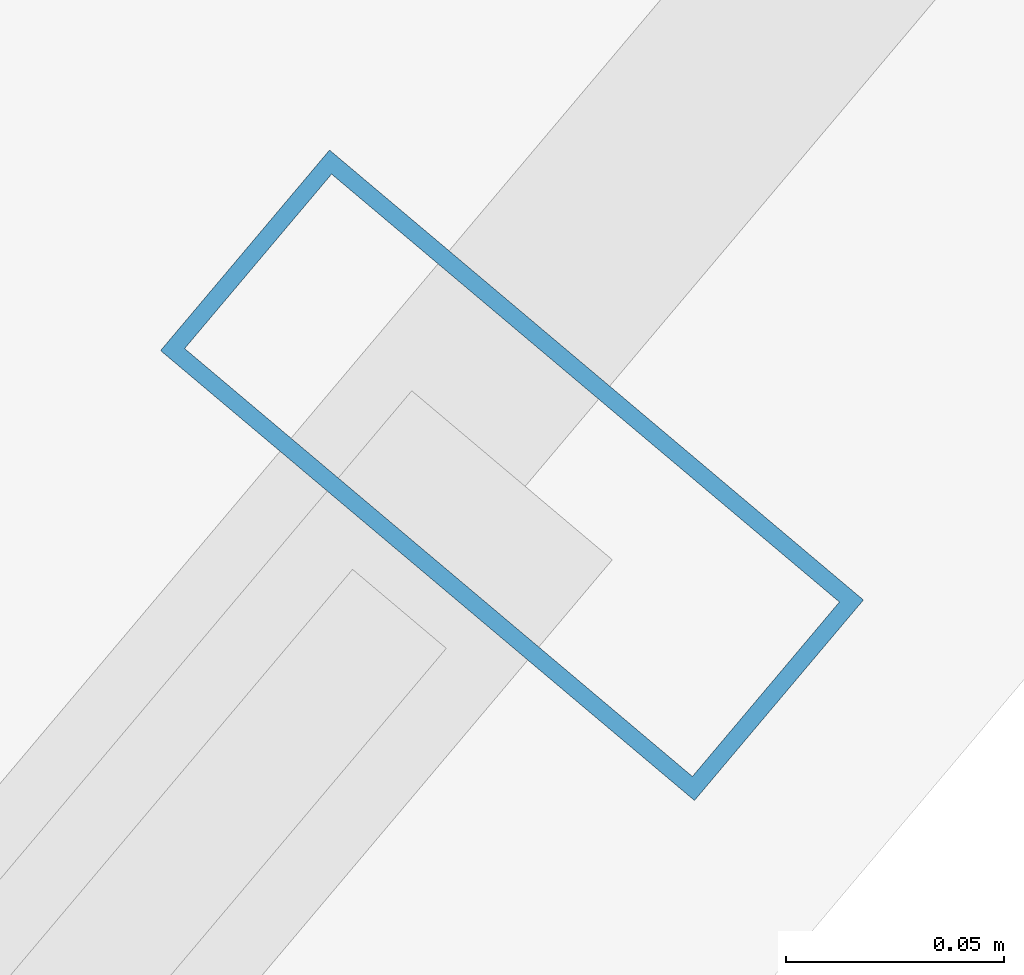
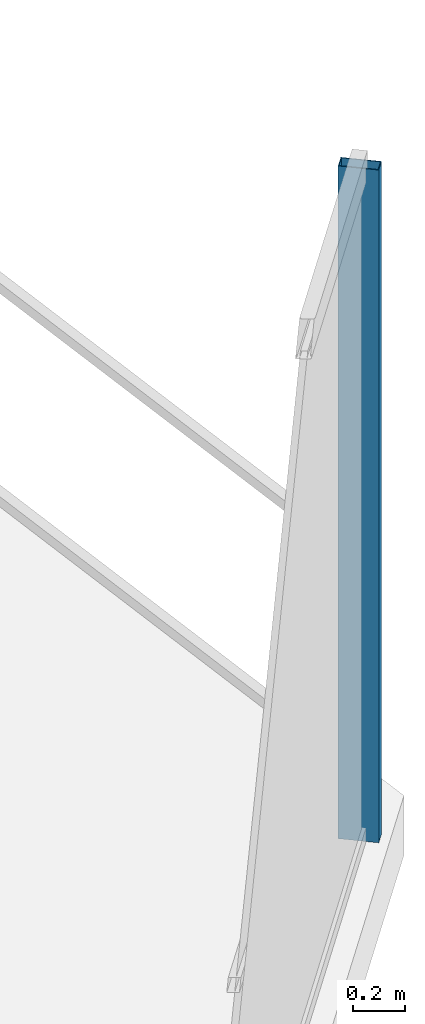
# One storey, part 14 of 31: 1 member, 1 element without a shape of its own.
"""IFC4 building model written with IfcOpenShell, lengths in metres."""

from ifc_helpers import new_model, si_unit, direction, frame, origin, origin_2d, place, context, subcontext, project, spatial, hollow_rectangle, extrude, material, layer, layer_set, material_profile, profile_set, type_object, element, aggregate, save


model = new_model("IFC4")

# Units and contexts
model_context = context("Model", 3, precision=1e-05, world=origin(), true_north=direction((0.0, 1.0)))
body_context = subcontext(model_context, "Body", "Model", "MODEL_VIEW")
ifc_project = project(units=[si_unit("LENGTHUNIT", "METRE"), si_unit("AREAUNIT", "SQUARE_METRE"), si_unit("VOLUMEUNIT", "CUBIC_METRE"), si_unit("PLANEANGLEUNIT", "RADIAN"), si_unit("MASSUNIT", "GRAM", prefix="KILO")], contexts=[model_context])

# Site, building, storey
site_placement = place(None, origin())
site = spatial("IfcSite", under=ifc_project, at=site_placement, CompositionType="ELEMENT")
building_placement = place(site_placement, origin())
building = spatial("IfcBuilding", under=site, at=building_placement, Name="Qarnah Convention Tower", CompositionType="ELEMENT")
storey_placement = place(building_placement, frame((0.0, 0.0, 33.89990234375)))
storey = spatial("IfcBuildingStorey", under=building, at=storey_placement, Name="L07", CompositionType="ELEMENT", Elevation=33.89990234375)

# Curtain wall, member
ifc_material_1 = material(Name="Tempered Low-E dark glass", Category="glass")
ifc_layer = layer(ifc_material_1, 0.16796875)
ifc_layer_set = layer_set([ifc_layer], Name="Tempered Low-E dark glass")
curtain_wall_type = type_object("IfcCurtainWallType", Name="CWS-01", PredefinedType="NOTDEFINED", material=ifc_layer_set)
curtain_wall_placement = place(storey_placement, origin())
curtain_wall = element("IfcCurtainWall", 1, at=curtain_wall_placement, inside=storey, type_object=curtain_wall_type, Name="L07 unitised curtain wall CW-L07-F3", PredefinedType="NOTDEFINED")
ifc_material_2 = material(Name="Black anodised aluminium", Category="aluminium")
ifc_material_profile = material_profile(ifc_material_2, hollow_rectangle(XDim=0.06005859375, YDim=0.159912109375, WallThickness=0.00390625, at=origin_2d()), Name="MUL-60X160")
ifc_profile_set = profile_set([ifc_material_profile], Name="Black anodised aluminium")
member_type = type_object("IfcMemberType", Name="MUL-T1", PredefinedType="MULLION", material=ifc_profile_set)
member_placement = place(storey_placement, frame((64.64208984375, 27.656005859375, 0.0), z_axis=(0.0, 0.0, 1.0), x_axis=(-0.644401208836, -0.764687571529, 0.0)))
member = element("IfcMember", 2, at=member_placement, type_object=member_type, Name="CW-L07-F3 mullion 1", PredefinedType="MULLION", context=body_context, shape_type="SweptSolid", body=[
    extrude(hollow_rectangle(XDim=0.06005859375, YDim=0.159912109375, WallThickness=0.00390625, at=origin_2d()), origin(), (0.0, 0.0, 1.0), 3.170166015625),
])
aggregate(curtain_wall, [member])

save(model, "model.ifc")
